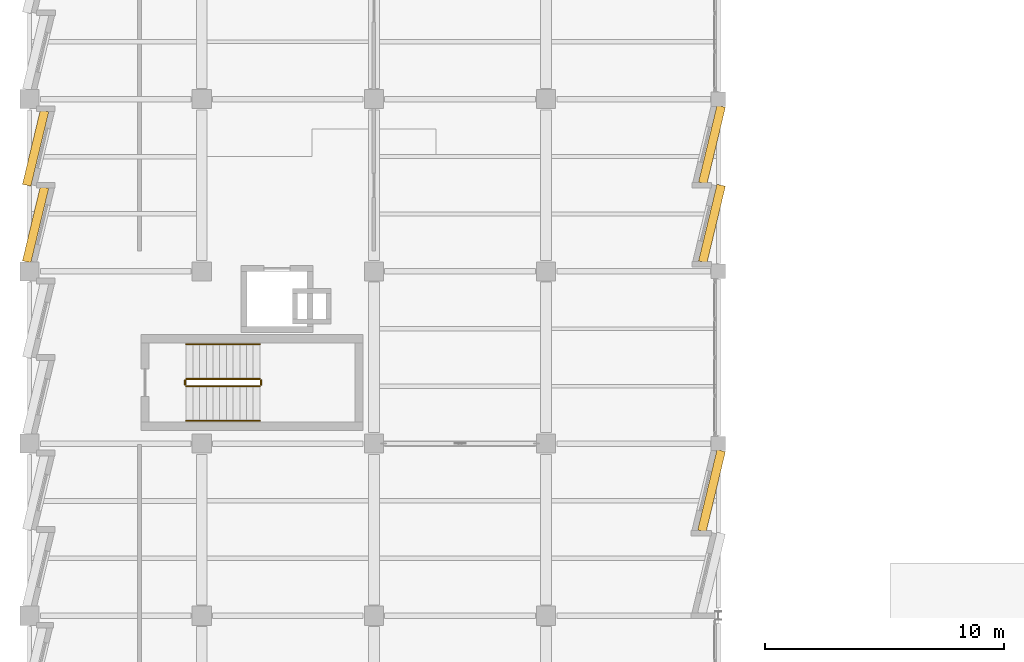
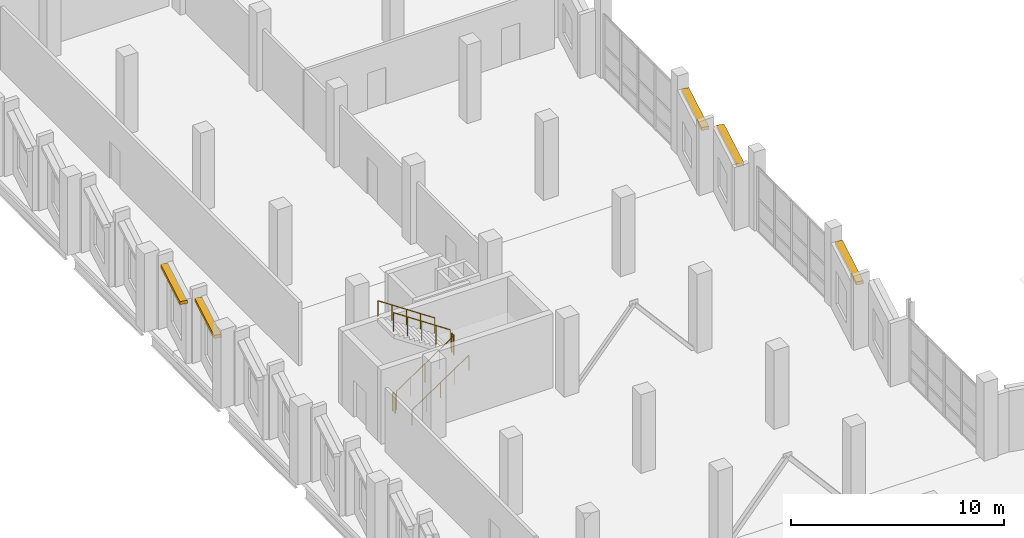
# One storey, part 108 of 123: 6 railings, 5 shading devices.
"""IFC4 building model written with IfcOpenShell, lengths in metres."""

from ifc_helpers import new_model, si_unit, direction, frame, origin, origin_2d, place, context, subcontext, project, spatial, rectangle, circle, extrude, material, layer, layer_set, type_object, element, save


model = new_model("IFC4")

# Units and contexts
model_context = context("Model", 3, precision=1e-05, world=origin(), true_north=direction((0.0, 1.0)))
body_context = subcontext(model_context, "Body", "Model", "MODEL_VIEW")
ifc_project = project(units=[si_unit("LENGTHUNIT", "METRE"), si_unit("AREAUNIT", "SQUARE_METRE"), si_unit("VOLUMEUNIT", "CUBIC_METRE"), si_unit("PLANEANGLEUNIT", "RADIAN"), si_unit("MASSUNIT", "GRAM", prefix="KILO")], contexts=[model_context])

# Site, building, storey
site_placement = place(None, origin())
site = spatial("IfcSite", under=ifc_project, at=site_placement, CompositionType="ELEMENT")
building_placement = place(site_placement, origin())
building = spatial("IfcBuilding", under=site, at=building_placement, Name="Kalmorath City Hall", CompositionType="ELEMENT")
storey_placement = place(building_placement, frame((0.0, 0.0, 10.199951171875)))
storey = spatial("IfcBuildingStorey", under=building, at=storey_placement, Name="L02", CompositionType="ELEMENT", Elevation=10.199951171875)

# Shading devices
ifc_material_1 = material(Name="Precast concrete C40/50", Category="concrete")
ifc_layer = layer(ifc_material_1, 0.179931640625)
ifc_layer_set = layer_set([ifc_layer], Name="Precast concrete C40/50")
shading_device_type = type_object("IfcShadingDeviceType", Name="Precast sawtooth brow sunshade 350", PredefinedType="USERDEFINED", material=ifc_layer_set)
for number, where, z_axis, x_axis, name in (
    (1, (0.2529296875, 59.55419921875, 3.48583984375), (0.0, 0.0, 1.0), (0.233445363856, 0.972369920398, 0.0), "L02 precast sawtooth hood #201"),
    (2, (0.2529296875, 62.75341796875, 3.48583984375), (0.0, 0.0, 1.0), (0.233445363856, 0.972369920398, 0.0), "L02 precast sawtooth hood #202"),
):
    element("IfcShadingDevice", number, at=place(storey_placement, frame(where, z_axis=z_axis, x_axis=x_axis)), inside=storey, type_object=shading_device_type, Name=name, ObjectType="SUNSHADE", PredefinedType="USERDEFINED", context=body_context, shape_type="SweptSolid", body=[
        extrude(rectangle(XDim=3.19482421875, YDim=0.360107421875, at=origin_2d()), origin(), (0.0, 0.0, 1.0), 0.179931640625),
    ])
for number, where, z_axis, x_axis, name in (
    (3, (28.53515625, 62.895751953125, 3.48583984375), (0.0, 0.0, 1.0), (-0.233445363856, -0.972369920398, 0.0), "L02 precast sawtooth hood #265"),
    (4, (28.53515625, 59.5966796875, 3.408203125), (0.0, 0.0, 1.0), (-0.233445363856, -0.972369920398, 0.0), "L02 precast sawtooth hood #266"),
):
    element("IfcShadingDevice", number, at=place(storey_placement, frame(where, z_axis=z_axis, x_axis=x_axis)), inside=storey, type_object=shading_device_type, Name=name, ObjectType="SUNSHADE", PredefinedType="USERDEFINED", context=body_context, shape_type="SweptSolid", body=[
        extrude(rectangle(XDim=3.297607421875, YDim=0.360107421875, at=origin_2d()), origin(), (0.0, 0.0, 1.0), 0.179931640625),
    ])
shading_device_placement = place(storey_placement, frame((28.51708984375, 48.42041015625, 3.48583984375), z_axis=(0.0, 0.0, 1.0), x_axis=(-0.233462334877, -0.972365845859, 0.0)))
element("IfcShadingDevice", 5, at=shading_device_placement, inside=storey, type_object=shading_device_type, Name="L02 precast sawtooth hood #267", ObjectType="SUNSHADE", PredefinedType="USERDEFINED", context=body_context, shape_type="SweptSolid", body=[
    extrude(rectangle(XDim=3.452392578125, YDim=0.360107421875, at=origin_2d()), origin(), (0.0, 0.0, 1.0), 0.179931640625),
])

# Railings
ifc_material_2 = material(Name="Painted steel guardrail", Category="steel")
railing_type_1 = type_object("IfcRailingType", Name="Protected stair guardrail 1100", PredefinedType="GUARDRAIL", material=ifc_material_2)
railing_1_placement = place(storey_placement, frame((6.550048828125, 52.800048828125, 0.1875)))
element("IfcRailing", 6, at=railing_1_placement, inside=storey, type_object=railing_type_1, Name="L02 ST-3 stair guard 1", PredefinedType="GUARDRAIL", context=body_context, shape_type="SweptSolid", body=[
    extrude(circle(Radius=0.02392578125, at=origin_2d()), frame((0.0, 0.0, 1.076171875), z_axis=(0.830893310487, 0.0, 0.556431762742), x_axis=(0.0, 1.0, 0.0)), (0.0, 0.0, 1.0), 3.70654296875),
    extrude(circle(Radius=0.02099609375, at=origin_2d()), origin(), (0.0, 0.0, 1.0), 1.052001953125),
    extrude(circle(Radius=0.02099609375, at=origin_2d()), frame((0.77001953125, 0.0, 0.515625)), (0.0, 0.0, 1.0), 1.052001953125),
    extrude(circle(Radius=0.02099609375, at=origin_2d()), frame((1.5400390625, 0.0, 1.03125)), (0.0, 0.0, 1.0), 1.052001953125),
    extrude(circle(Radius=0.02099609375, at=origin_2d()), frame((2.309814453125, 0.0, 1.546875)), (0.0, 0.0, 1.0), 1.052001953125),
    extrude(circle(Radius=0.02099609375, at=origin_2d()), frame((3.079833984375, 0.0, 2.0625)), (0.0, 0.0, 1.0), 1.052001953125),
])
railing_2_placement = place(storey_placement, frame((9.679931640625, 52.85009765625, 2.25)))
element("IfcRailing", 7, at=railing_2_placement, inside=storey, type_object=railing_type_1, Name="L02 ST-3 stair guard 2", PredefinedType="GUARDRAIL", context=body_context, shape_type="SweptSolid", body=[
    extrude(circle(Radius=0.02392578125, at=origin_2d()), frame((0.0, 0.0, 1.076171875), z_axis=(0.0, 1.0, 0.0), x_axis=(-1.0, 0.0, 0.0)), (0.0, 0.0, 1.0), 0.199951171875),
    extrude(circle(Radius=0.02099609375, at=origin_2d()), origin(), (0.0, 0.0, 1.0), 1.052001953125),
    extrude(circle(Radius=0.02099609375, at=origin_2d()), frame((0.0, 0.199951171875, 0.0)), (0.0, 0.0, 1.0), 1.052001953125),
])
railing_3_placement = place(storey_placement, frame((9.6298828125, 53.10009765625, 2.4375)))
element("IfcRailing", 8, at=railing_3_placement, inside=storey, type_object=railing_type_1, Name="L02 ST-3 stair guard 3", PredefinedType="GUARDRAIL", context=body_context, shape_type="SweptSolid", body=[
    extrude(circle(Radius=0.02392578125, at=origin_2d()), frame((0.0, 0.0, 1.076171875), z_axis=(-0.830893310487, 0.0, 0.556431762742), x_axis=(0.0, -1.0, 0.0)), (0.0, 0.0, 1.0), 3.70654296875),
    extrude(circle(Radius=0.02099609375, at=origin_2d()), origin(), (0.0, 0.0, 1.0), 1.052001953125),
    extrude(circle(Radius=0.02099609375, at=origin_2d()), frame((-0.77001953125, 0.0, 0.515625)), (0.0, 0.0, 1.0), 1.052001953125),
    extrude(circle(Radius=0.02099609375, at=origin_2d()), frame((-1.5400390625, 0.0, 1.03125)), (0.0, 0.0, 1.0), 1.052001953125),
    extrude(circle(Radius=0.02099609375, at=origin_2d()), frame((-2.309814453125, 0.0, 1.546875)), (0.0, 0.0, 1.0), 1.052001953125),
    extrude(circle(Radius=0.02099609375, at=origin_2d()), frame((-3.079833984375, 0.0, 2.0625)), (0.0, 0.0, 1.0), 1.052001953125),
])
railing_4_placement = place(storey_placement, frame((6.5, 52.85009765625, 0.0)))
element("IfcRailing", 9, at=railing_4_placement, inside=storey, type_object=railing_type_1, Name="L02 ST-3 stair guard 4", PredefinedType="GUARDRAIL", context=body_context, shape_type="SweptSolid", body=[
    extrude(circle(Radius=0.02392578125, at=origin_2d()), frame((0.0, 0.0, 1.076171875), z_axis=(0.0, 1.0, 0.0), x_axis=(-1.0, 0.0, 0.0)), (0.0, 0.0, 1.0), 0.199951171875),
    extrude(circle(Radius=0.02099609375, at=origin_2d()), origin(), (0.0, 0.0, 1.0), 1.052001953125),
    extrude(circle(Radius=0.02099609375, at=origin_2d()), frame((0.0, 0.199951171875, 0.0)), (0.0, 0.0, 1.0), 1.052001953125),
])
ifc_material_3 = material(Name="Brushed stainless steel handrail", Category="steel")
railing_type_2 = type_object("IfcRailingType", Name="Stair pitch handrail 900", PredefinedType="HANDRAIL", material=ifc_material_3)
railing_5_placement = place(storey_placement, frame((6.550048828125, 51.35009765625, 0.1875)))
element("IfcRailing", 10, at=railing_5_placement, inside=storey, type_object=railing_type_2, Name="L02 ST-3 stair handrail 1", PredefinedType="HANDRAIL", context=body_context, shape_type="SweptSolid", body=[
    extrude(circle(Radius=0.02392578125, at=origin_2d()), frame((0.0, 0.0, 0.8759765625), z_axis=(0.830893310487, 0.0, 0.556431762742), x_axis=(0.0, 1.0, 0.0)), (0.0, 0.0, 1.0), 3.70654296875),
    extrude(circle(Radius=0.02099609375, at=origin_2d()), origin(), (0.0, 0.0, 1.0), 0.851806640625),
    extrude(circle(Radius=0.02099609375, at=origin_2d()), frame((0.77001953125, 0.0, 0.515625)), (0.0, 0.0, 1.0), 0.851806640625),
    extrude(circle(Radius=0.02099609375, at=origin_2d()), frame((1.5400390625, 0.0, 1.03125)), (0.0, 0.0, 1.0), 0.851806640625),
    extrude(circle(Radius=0.02099609375, at=origin_2d()), frame((2.309814453125, 0.0, 1.546875)), (0.0, 0.0, 1.0), 0.851806640625),
    extrude(circle(Radius=0.02099609375, at=origin_2d()), frame((3.079833984375, 0.0, 2.0625)), (0.0, 0.0, 1.0), 0.851806640625),
])
railing_6_placement = place(storey_placement, frame((9.6298828125, 54.550048828125, 2.4375)))
element("IfcRailing", 11, at=railing_6_placement, inside=storey, type_object=railing_type_2, Name="L02 ST-3 stair handrail 2", PredefinedType="HANDRAIL", context=body_context, shape_type="SweptSolid", body=[
    extrude(circle(Radius=0.02392578125, at=origin_2d()), frame((0.0, 0.0, 0.8759765625), z_axis=(-0.830893310487, 0.0, 0.556431762742), x_axis=(0.0, -1.0, 0.0)), (0.0, 0.0, 1.0), 3.70654296875),
    extrude(circle(Radius=0.02099609375, at=origin_2d()), origin(), (0.0, 0.0, 1.0), 0.851806640625),
    extrude(circle(Radius=0.02099609375, at=origin_2d()), frame((-0.77001953125, 0.0, 0.515625)), (0.0, 0.0, 1.0), 0.851806640625),
    extrude(circle(Radius=0.02099609375, at=origin_2d()), frame((-1.5400390625, 0.0, 1.03125)), (0.0, 0.0, 1.0), 0.851806640625),
    extrude(circle(Radius=0.02099609375, at=origin_2d()), frame((-2.309814453125, 0.0, 1.546875)), (0.0, 0.0, 1.0), 0.851806640625),
    extrude(circle(Radius=0.02099609375, at=origin_2d()), frame((-3.079833984375, 0.0, 2.0625)), (0.0, 0.0, 1.0), 0.851806640625),
])

save(model, "model.ifc")
